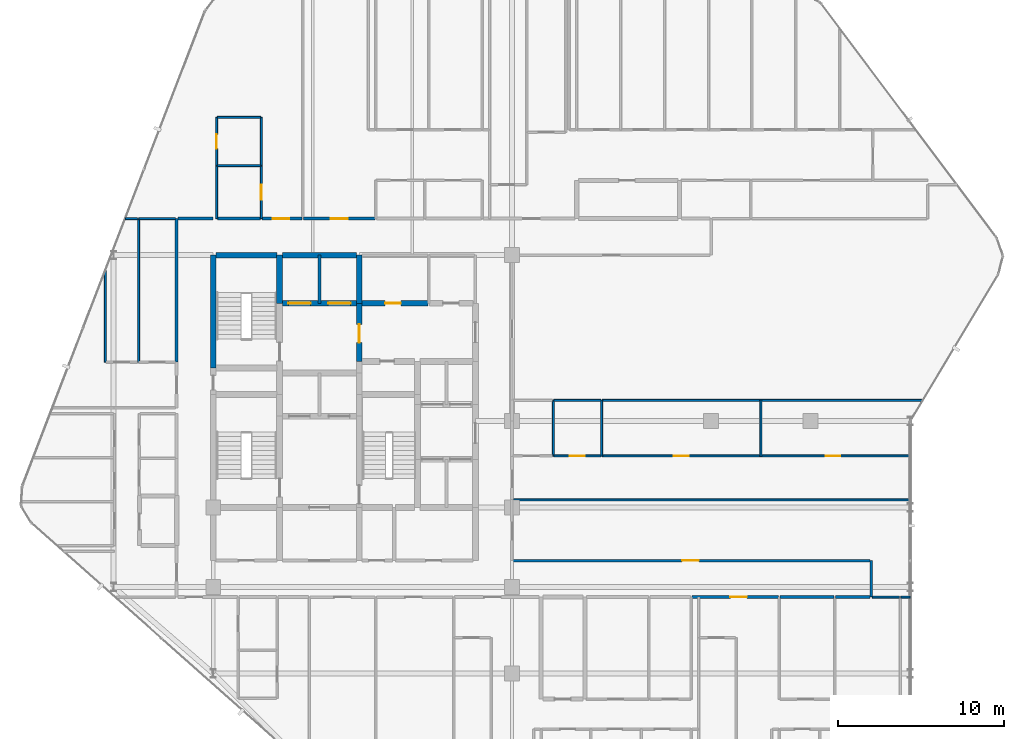
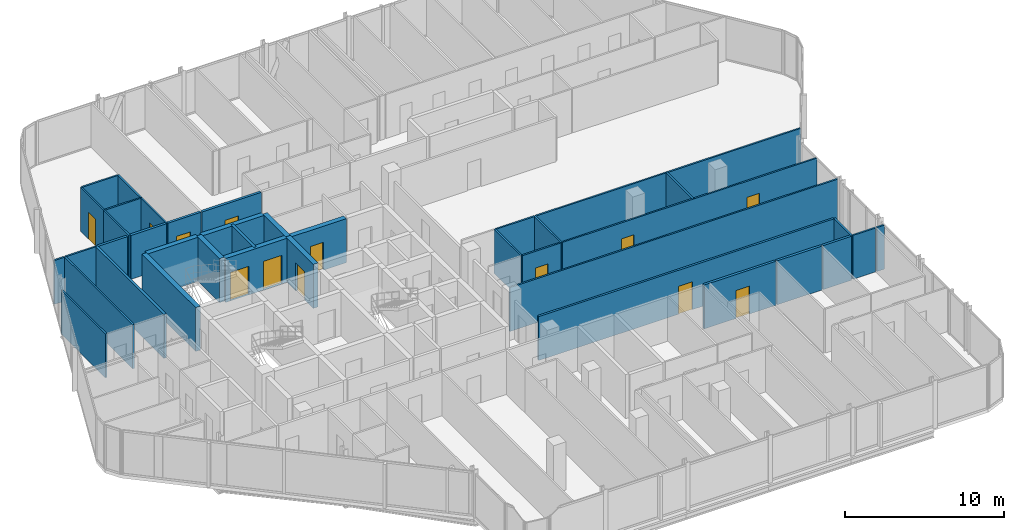
# One storey, part 28 of 31: 39 walls, 13 doors, 13 openings.
"""IFC4 building model written with IfcOpenShell, lengths in metres."""

from ifc_helpers import new_model, si_unit, direction, frame, frame_2d, origin, place, context, subcontext, project, spatial, rectangle, extrude, material, layer, layer_set, type_object, element, fill, save


model = new_model("IFC4")

# Units and contexts
model_context = context("Model", 3, precision=1e-05, world=origin(), true_north=direction((0.0, 1.0)))
body_context = subcontext(model_context, "Body", "Model", "MODEL_VIEW")
ifc_project = project(units=[si_unit("LENGTHUNIT", "METRE"), si_unit("AREAUNIT", "SQUARE_METRE"), si_unit("VOLUMEUNIT", "CUBIC_METRE"), si_unit("PLANEANGLEUNIT", "RADIAN"), si_unit("MASSUNIT", "GRAM", prefix="KILO")], contexts=[model_context])

# Site, building, storey
site_placement = place(None, origin())
site = spatial("IfcSite", under=ifc_project, at=site_placement, CompositionType="ELEMENT")
building_placement = place(site_placement, origin())
building = spatial("IfcBuilding", under=site, at=building_placement, Name="Keshet Zoharim Tower", CompositionType="ELEMENT")
storey_placement = place(building_placement, frame((0.0, 0.0, 140.89990234375)))
storey = spatial("IfcBuildingStorey", under=building, at=storey_placement, Name="L34", CompositionType="ELEMENT", Elevation=140.89990234375)

# Wall
ifc_material_1 = material(Name="Gypsum Plasterboard", Category="gypsum")
ifc_layer_1 = layer(ifc_material_1, 0.14990234375)
ifc_layer_set_1 = layer_set([ifc_layer_1], Name="Gypsum Plasterboard")
wall_type_1 = type_object("IfcWallType", Name="WL-CLIN-150", PredefinedType="STANDARD", material=ifc_layer_set_1)
wall_1_placement = place(storey_placement, frame((54.64990234375, 17.31005859375, 0.0), z_axis=(0.0, 0.0, 1.0), x_axis=(0.0, 1.0, 0.0)))
element("IfcWall", 1, at=wall_1_placement, inside=storey, type_object=wall_type_1, Name="L34 Interior Wall 110", PredefinedType="STANDARD", context=body_context, shape_type="SweptSolid", body=[
    extrude(rectangle(XDim=2.18994140625, YDim=0.14990234375, at=frame_2d((1.094970703125, 0.0))), origin(), (0.0, 0.0, 1.0), 3.385009765625),
])

# Wall, opening, door
wall_2_placement = place(storey_placement, frame((33.070068359375, 19.5, 0.0), z_axis=(0.0, 0.0, 1.0), x_axis=(1.0, 0.0, 0.0)))
wall_2 = element("IfcWall", 2, at=wall_2_placement, inside=storey, type_object=wall_type_1, Name="L34 Interior Wall 147", PredefinedType="STANDARD", context=body_context, shape_type="SweptSolid", body=[
    extrude(rectangle(XDim=21.510009765625, YDim=0.14990234375, at=frame_2d((10.7548828125, 0.0))), origin(), (0.0, 0.0, 1.0), 3.385009765625),
])
opening_1_placement = place(wall_2_placement, frame((10.18505859375, 0.0, 0.0)))
opening_1 = element("IfcOpeningElement", 3, at=opening_1_placement, cuts=wall_2, Name="Opening D-F310", PredefinedType="OPENING", context=body_context, shape_type="SweptSolid", body=[
    extrude(rectangle(XDim=1.0, YDim=2.14990234375, at=frame_2d((0.5, 1.074951171875))), frame((0.0, 0.0849609375, 0.0), z_axis=(0.0, -1.0, 0.0), x_axis=(1.0, 0.0, 0.0)), (0.0, 0.0, 1.0), 0.169921875),
])
ifc_material_2 = material(Name="Hardwood Timber", Category="wood")
door_type_1 = type_object("IfcDoorType", Name="DR-FD30-100", OperationType="NOTDEFINED", PredefinedType="DOOR", material=ifc_material_2)
door_1_placement = place(opening_1_placement, origin())
door_1 = element("IfcDoor", 4, at=door_1_placement, inside=storey, type_object=door_type_1, Name="L34 South East Residents Services Suite Door 1", OperationType="SINGLE_SWING_RIGHT", OverallHeight=2.14990234375, OverallWidth=1.0, PredefinedType="DOOR", context=body_context, shape_type="SweptSolid", body=[
    extrude(rectangle(XDim=1.0, YDim=2.14990234375, at=frame_2d((0.5, 1.074951171875))), frame((0.0, 0.02490234375, 0.0), z_axis=(0.0, -1.0, 0.0), x_axis=(1.0, 0.0, 0.0)), (0.0, 0.0, 1.0), 0.050048828125),
])
fill(opening_1, door_1)

# Walls
ifc_material_3 = material(Name="Concrete C60/75", Category="concrete")
ifc_layer_2 = layer(ifc_material_3, 0.35009765625)
ifc_layer_set_2 = layer_set([ifc_layer_2], Name="Concrete C60/75")
wall_type_2 = type_object("IfcWallType", Name="WL-CORE-350", PredefinedType="SHEAR", material=ifc_layer_set_2)
wall_3_placement = place(storey_placement, frame((15.0, 31.10009765625, 0.0), z_axis=(0.0, 0.0, 1.0), x_axis=(0.0, 1.0, 0.0)))
element("IfcWall", 5, at=wall_3_placement, inside=storey, type_object=wall_type_2, Name="L34 Core Shear Wall 016", PredefinedType="SHEAR", context=body_context, shape_type="SweptSolid", body=[
    extrude(rectangle(XDim=6.7998046875, YDim=0.35009765625, at=frame_2d((3.39990234375, 0.0))), origin(), (0.0, 0.0, 1.0), 3.385009765625),
])
wall_4_placement = place(storey_placement, frame((19.0, 35.0, 0.0), z_axis=(0.0, 0.0, 1.0), x_axis=(0.0, 1.0, 0.0)))
element("IfcWall", 6, at=wall_4_placement, inside=storey, type_object=wall_type_2, Name="L34 Core Shear Wall 029", PredefinedType="SHEAR", context=body_context, shape_type="SweptSolid", body=[
    extrude(rectangle(XDim=2.89990234375, YDim=0.35009765625, at=frame_2d((1.449951171875, 0.0))), origin(), (0.0, 0.0, 1.0), 3.385009765625),
])

# Wall, opening, door
wall_5_placement = place(storey_placement, frame((23.800048828125, 31.5, 0.0), z_axis=(0.0, 0.0, 1.0), x_axis=(0.0, 1.0, 0.0)))
wall_5 = element("IfcWall", 7, at=wall_5_placement, inside=storey, type_object=wall_type_2, Name="L34 Core Shear Wall 039", PredefinedType="SHEAR", context=body_context, shape_type="SweptSolid", body=[
    extrude(rectangle(XDim=3.5, YDim=0.35009765625, at=frame_2d((1.75, 0.0))), origin(), (0.0, 0.0, 1.0), 3.385009765625),
])
opening_2_placement = place(wall_5_placement, frame((1.126953125, 0.0, 0.0)))
opening_2 = element("IfcOpeningElement", 8, at=opening_2_placement, cuts=wall_5, Name="Opening D-F611", PredefinedType="OPENING", context=body_context, shape_type="SweptSolid", body=[
    extrude(rectangle(XDim=1.10009765625, YDim=2.14990234375, at=frame_2d((0.550048828125, 1.074951171875))), frame((0.0, 0.18505859375, 0.0), z_axis=(0.0, -1.0, 0.0), x_axis=(1.0, 0.0, 0.0)), (0.0, 0.0, 1.0), 0.3701171875),
])
door_type_2 = type_object("IfcDoorType", Name="DR-FD60-110", OperationType="NOTDEFINED", PredefinedType="DOOR", material=ifc_material_2)
door_2_placement = place(opening_2_placement, origin())
door_2 = element("IfcDoor", 9, at=door_2_placement, inside=storey, type_object=door_type_2, Name="L34 Firefighting Lobby Fire Door", OperationType="SINGLE_SWING_LEFT", OverallHeight=2.14990234375, OverallWidth=1.10009765625, PredefinedType="DOOR", context=body_context, shape_type="SweptSolid", body=[
    extrude(rectangle(XDim=1.10009765625, YDim=2.14990234375, at=frame_2d((0.550048828125, 1.074951171875))), frame((0.0, 0.02490234375, 0.0), z_axis=(0.0, -1.0, 0.0), x_axis=(1.0, 0.0, 0.0)), (0.0, 0.0, 1.0), 0.050048828125),
])
fill(opening_2, door_2)

# Wall
wall_6_placement = place(storey_placement, frame((23.800048828125, 35.0, 0.0), z_axis=(0.0, 0.0, 1.0), x_axis=(0.0, 1.0, 0.0)))
element("IfcWall", 10, at=wall_6_placement, inside=storey, type_object=wall_type_2, Name="L34 Core Shear Wall 040", PredefinedType="SHEAR", context=body_context, shape_type="SweptSolid", body=[
    extrude(rectangle(XDim=2.89990234375, YDim=0.35009765625, at=frame_2d((1.449951171875, 0.0))), origin(), (0.0, 0.0, 1.0), 3.385009765625),
])

# Wall, openings, doors
wall_7_placement = place(storey_placement, frame((19.159912109375, 35.0, 0.0), z_axis=(0.0, 0.0, 1.0), x_axis=(1.0, 0.0, 0.0)))
wall_7 = element("IfcWall", 11, at=wall_7_placement, inside=storey, type_object=wall_type_2, Name="L34 Core Shear Wall 182", PredefinedType="SHEAR", context=body_context, shape_type="SweptSolid", body=[
    extrude(rectangle(XDim=4.47998046875, YDim=0.35009765625, at=frame_2d((2.239990234375, 0.0))), origin(), (0.0, 0.0, 1.0), 3.385009765625),
])
opening_3_placement = place(wall_7_placement, frame((0.364990234375, 0.0, 0.0)))
opening_3 = element("IfcOpeningElement", 12, at=opening_3_placement, cuts=wall_7, Name="Opening LD-02", PredefinedType="OPENING", context=body_context, shape_type="SweptSolid", body=[
    extrude(rectangle(XDim=1.35009765625, YDim=2.199951171875, at=frame_2d((0.675048828125, 1.10009765625))), frame((0.0, 0.18505859375, 0.0), z_axis=(0.0, -1.0, 0.0), x_axis=(1.0, 0.0, 0.0)), (0.0, 0.0, 1.0), 0.3701171875),
])
opening_4_placement = place(wall_7_placement, frame((2.764892578125, 0.0, 0.0)))
opening_4 = element("IfcOpeningElement", 13, at=opening_4_placement, cuts=wall_7, Name="Opening LD-02", PredefinedType="OPENING", context=body_context, shape_type="SweptSolid", body=[
    extrude(rectangle(XDim=1.35009765625, YDim=2.199951171875, at=frame_2d((0.675048828125, 1.10009765625))), frame((0.0, 0.18505859375, 0.0), z_axis=(0.0, -1.0, 0.0), x_axis=(1.0, 0.0, 0.0)), (0.0, 0.0, 1.0), 0.3701171875),
])
ifc_material_4 = material(Name="Steel S355", Category="steel")
door_type_3 = type_object("IfcDoorType", Name="DR-LD02-135", OperationType="DOUBLE_DOOR_SLIDING", PredefinedType="DOOR", material=ifc_material_4)
door_3_placement = place(opening_3_placement, origin())
door_3 = element("IfcDoor", 14, at=door_3_placement, inside=storey, type_object=door_type_3, Name="L34 Firefighting Lift Landing Door FF-01", OperationType="DOUBLE_DOOR_SLIDING", OverallHeight=2.199951171875, OverallWidth=1.35009765625, PredefinedType="DOOR", context=body_context, shape_type="SweptSolid", body=[
    extrude(rectangle(XDim=1.35009765625, YDim=2.199951171875, at=frame_2d((0.675048828125, 1.10009765625))), frame((0.0, 0.02490234375, 0.0), z_axis=(0.0, -1.0, 0.0), x_axis=(1.0, 0.0, 0.0)), (0.0, 0.0, 1.0), 0.050048828125),
])
fill(opening_3, door_3)
door_4_placement = place(opening_4_placement, origin())
door_4 = element("IfcDoor", 15, at=door_4_placement, inside=storey, type_object=door_type_3, Name="L34 Firefighting Lift Landing Door FF-02", OperationType="DOUBLE_DOOR_SLIDING", OverallHeight=2.199951171875, OverallWidth=1.35009765625, PredefinedType="DOOR", context=body_context, shape_type="SweptSolid", body=[
    extrude(rectangle(XDim=1.35009765625, YDim=2.199951171875, at=frame_2d((0.675048828125, 1.10009765625))), frame((0.0, 0.02490234375, 0.0), z_axis=(0.0, -1.0, 0.0), x_axis=(1.0, 0.0, 0.0)), (0.0, 0.0, 1.0), 0.050048828125),
])
fill(opening_4, door_4)

# Wall, opening, door
wall_8_placement = place(storey_placement, frame((23.9599609375, 35.0, 0.0), z_axis=(0.0, 0.0, 1.0), x_axis=(1.0, 0.0, 0.0)))
wall_8 = element("IfcWall", 16, at=wall_8_placement, inside=storey, type_object=wall_type_2, Name="L34 Core Shear Wall 183", PredefinedType="SHEAR", context=body_context, shape_type="SweptSolid", body=[
    extrude(rectangle(XDim=3.9951171875, YDim=0.35009765625, at=frame_2d((1.99755859375, 0.0))), origin(), (0.0, 0.0, 1.0), 3.385009765625),
])
opening_5_placement = place(wall_8_placement, frame((1.39306640625, 0.0, 0.0)))
opening_5 = element("IfcOpeningElement", 17, at=opening_5_placement, cuts=wall_8, Name="Opening D-F695", PredefinedType="OPENING", context=body_context, shape_type="SweptSolid", body=[
    extrude(rectangle(XDim=0.949951171875, YDim=2.14990234375, at=frame_2d((0.47509765625, 1.074951171875))), frame((0.0, 0.18505859375, 0.0), z_axis=(0.0, -1.0, 0.0), x_axis=(1.0, 0.0, 0.0)), (0.0, 0.0, 1.0), 0.3701171875),
])
door_type_4 = type_object("IfcDoorType", Name="DR-FD60-095", OperationType="NOTDEFINED", PredefinedType="DOOR", material=ifc_material_2)
door_5_placement = place(opening_5_placement, frame((0.949951171875, 0.0, 0.0), z_axis=(0.0, 0.0, 1.0), x_axis=(-1.0, 0.0, 0.0)))
door_5 = element("IfcDoor", 18, at=door_5_placement, inside=storey, type_object=door_type_4, Name="L34 Laundry Room Door", OperationType="SINGLE_SWING_LEFT", OverallHeight=2.14990234375, OverallWidth=0.949951171875, PredefinedType="DOOR", context=body_context, shape_type="SweptSolid", body=[
    extrude(rectangle(XDim=0.949951171875, YDim=2.14990234375, at=frame_2d((0.47509765625, 1.074951171875))), frame((0.0, 0.02490234375, 0.0), z_axis=(0.0, -1.0, 0.0), x_axis=(1.0, 0.0, 0.0)), (0.0, 0.0, 1.0), 0.050048828125),
])
fill(opening_5, door_5)

# Walls
wall_9_placement = place(storey_placement, frame((15.159912109375, 37.89990234375, 0.0), z_axis=(0.0, 0.0, 1.0), x_axis=(1.0, 0.0, 0.0)))
element("IfcWall", 19, at=wall_9_placement, inside=storey, type_object=wall_type_2, Name="L34 Core Shear Wall 185", PredefinedType="SHEAR", context=body_context, shape_type="SweptSolid", body=[
    extrude(rectangle(XDim=3.68017578125, YDim=0.35009765625, at=frame_2d((1.840087890625, 0.0))), origin(), (0.0, 0.0, 1.0), 3.385009765625),
])
wall_10_placement = place(storey_placement, frame((19.159912109375, 37.89990234375, 0.0), z_axis=(0.0, 0.0, 1.0), x_axis=(1.0, 0.0, 0.0)))
element("IfcWall", 20, at=wall_10_placement, inside=storey, type_object=wall_type_2, Name="L34 Core Shear Wall 186", PredefinedType="SHEAR", context=body_context, shape_type="SweptSolid", body=[
    extrude(rectangle(XDim=4.47998046875, YDim=0.35009765625, at=frame_2d((2.239990234375, 0.0))), origin(), (0.0, 0.0, 1.0), 3.385009765625),
])
ifc_layer_3 = layer(ifc_material_1, 0.179931640625)
ifc_layer_set_3 = layer_set([ifc_layer_3], Name="Gypsum Plasterboard")
wall_type_3 = type_object("IfcWallType", Name="WL-CORR-180", PredefinedType="STANDARD", material=ifc_layer_set_3)
wall_11_placement = place(storey_placement, frame((12.800048828125, 31.449951171875, 0.0), z_axis=(0.0, 0.0, 1.0), x_axis=(0.0, 1.0, 0.0)))
element("IfcWall", 21, at=wall_11_placement, inside=storey, type_object=wall_type_3, Name="L34 Interior Wall 012", PredefinedType="STANDARD", context=body_context, shape_type="SweptSolid", body=[
    extrude(rectangle(XDim=8.650146484375, YDim=0.179931640625, at=frame_2d((4.3251953125, 0.0))), origin(), (0.0, 0.0, 1.0), 3.385009765625),
])

# Wall, opening, door
wall_12_placement = place(storey_placement, frame((43.85498046875, 17.300048828125, 0.0), z_axis=(0.0, 0.0, 1.0), x_axis=(1.0, 0.0, 0.0)))
wall_12 = element("IfcWall", 22, at=wall_12_placement, inside=storey, type_object=wall_type_3, Name="L34 Interior Wall 138", PredefinedType="STANDARD", context=body_context, shape_type="SweptSolid", body=[
    extrude(rectangle(XDim=5.2099609375, YDim=0.179931640625, at=frame_2d((2.60498046875, 0.0))), origin(), (0.0, 0.0, 1.0), 3.385009765625),
])
opening_6_placement = place(wall_12_placement, frame((2.304931640625, 0.0, 0.0)))
opening_6 = element("IfcOpeningElement", 23, at=opening_6_placement, cuts=wall_12, Name="Opening D-F310", PredefinedType="OPENING", context=body_context, shape_type="SweptSolid", body=[
    extrude(rectangle(XDim=1.0, YDim=2.14990234375, at=frame_2d((0.5, 1.074951171875))), frame((0.0, 0.10009765625, 0.0), z_axis=(0.0, -1.0, 0.0), x_axis=(1.0, 0.0, 0.0)), (0.0, 0.0, 1.0), 0.199951171875),
])
door_6_placement = place(opening_6_placement, origin())
door_6 = element("IfcDoor", 24, at=door_6_placement, inside=storey, type_object=door_type_1, Name="Apartment 3403 Entrance Door", OperationType="SINGLE_SWING_LEFT", OverallHeight=2.14990234375, OverallWidth=1.0, PredefinedType="DOOR", context=body_context, shape_type="SweptSolid", body=[
    extrude(rectangle(XDim=1.0, YDim=2.14990234375, at=frame_2d((0.5, 1.074951171875))), frame((0.0, 0.02490234375, 0.0), z_axis=(0.0, -1.0, 0.0), x_axis=(1.0, 0.0, 0.0)), (0.0, 0.0, 1.0), 0.050048828125),
])
fill(opening_6, door_6)

# Walls
wall_13_placement = place(storey_placement, frame((49.155029296875, 17.300048828125, 0.0), z_axis=(0.0, 0.0, 1.0), x_axis=(1.0, 0.0, 0.0)))
element("IfcWall", 25, at=wall_13_placement, inside=storey, type_object=wall_type_3, Name="L34 Interior Wall 139", PredefinedType="STANDARD", context=body_context, shape_type="SweptSolid", body=[
    extrude(rectangle(XDim=3.259033203125, YDim=0.179931640625, at=frame_2d((1.62939453125, 0.0))), origin(), (0.0, 0.0, 1.0), 3.385009765625),
])
wall_14_placement = place(storey_placement, frame((52.50390625, 17.300048828125, 0.0), z_axis=(0.0, 0.0, 1.0), x_axis=(1.0, 0.0, 0.0)))
element("IfcWall", 26, at=wall_14_placement, inside=storey, type_object=wall_type_3, Name="L34 Interior Wall 140", PredefinedType="STANDARD", context=body_context, shape_type="SweptSolid", body=[
    extrude(rectangle(XDim=2.076171875, YDim=0.179931640625, at=frame_2d((1.0380859375, 0.0))), origin(), (0.0, 0.0, 1.0), 3.385009765625),
])
wall_15_placement = place(storey_placement, frame((12.875, 40.10009765625, 0.0), z_axis=(0.0, 0.0, 1.0), x_axis=(1.0, 0.0, 0.0)))
element("IfcWall", 27, at=wall_15_placement, inside=storey, type_object=wall_type_3, Name="L34 Interior Wall 192", PredefinedType="STANDARD", context=body_context, shape_type="SweptSolid", body=[
    extrude(rectangle(XDim=2.125, YDim=0.179931640625, at=frame_2d((1.0625, 0.0))), origin(), (0.0, 0.0, 1.0), 3.385009765625),
])
wall_16_placement = place(storey_placement, frame((15.2451171875, 40.10009765625, 0.0), z_axis=(0.0, 0.0, 1.0), x_axis=(1.0, 0.0, 0.0)))
element("IfcWall", 28, at=wall_16_placement, inside=storey, type_object=wall_type_3, Name="L34 Interior Wall 193", PredefinedType="STANDARD", context=body_context, shape_type="SweptSolid", body=[
    extrude(rectangle(XDim=2.60986328125, YDim=0.179931640625, at=frame_2d((1.304931640625, 0.0))), origin(), (0.0, 0.0, 1.0), 3.385009765625),
])

# Wall, opening, door
wall_17_placement = place(storey_placement, frame((17.945068359375, 40.10009765625, 0.0), z_axis=(0.0, 0.0, 1.0), x_axis=(1.0, 0.0, 0.0)))
wall_17 = element("IfcWall", 29, at=wall_17_placement, inside=storey, type_object=wall_type_3, Name="L34 Interior Wall 194", PredefinedType="STANDARD", context=body_context, shape_type="SweptSolid", body=[
    extrude(rectangle(XDim=2.409912109375, YDim=0.179931640625, at=frame_2d((1.205078125, 0.0))), origin(), (0.0, 0.0, 1.0), 3.385009765625),
])
opening_7_placement = place(wall_17_placement, frame((0.634033203125, 0.0, 0.0)))
opening_7 = element("IfcOpeningElement", 30, at=opening_7_placement, cuts=wall_17, Name="Opening D-F310", PredefinedType="OPENING", context=body_context, shape_type="SweptSolid", body=[
    extrude(rectangle(XDim=1.0, YDim=2.14990234375, at=frame_2d((0.5, 1.074951171875))), frame((0.0, 0.10009765625, 0.0), z_axis=(0.0, -1.0, 0.0), x_axis=(1.0, 0.0, 0.0)), (0.0, 0.0, 1.0), 0.199951171875),
])
door_7_placement = place(opening_7_placement, origin())
door_7 = element("IfcDoor", 31, at=door_7_placement, inside=storey, type_object=door_type_1, Name="Apartment 3404 Entrance Door", OperationType="SINGLE_SWING_RIGHT", OverallHeight=2.14990234375, OverallWidth=1.0, PredefinedType="DOOR", context=body_context, shape_type="SweptSolid", body=[
    extrude(rectangle(XDim=1.0, YDim=2.14990234375, at=frame_2d((0.5, 1.074951171875))), frame((0.0, 0.02490234375, 0.0), z_axis=(0.0, -1.0, 0.0), x_axis=(1.0, 0.0, 0.0)), (0.0, 0.0, 1.0), 0.050048828125),
])
fill(opening_7, door_7)

wall_18_placement = place(storey_placement, frame((20.445068359375, 40.10009765625, 0.0), z_axis=(0.0, 0.0, 1.0), x_axis=(1.0, 0.0, 0.0)))
wall_18 = element("IfcWall", 32, at=wall_18_placement, inside=storey, type_object=wall_type_3, Name="L34 Interior Wall 195", PredefinedType="STANDARD", context=body_context, shape_type="SweptSolid", body=[
    extrude(rectangle(XDim=4.300048828125, YDim=0.179931640625, at=frame_2d((2.14990234375, 0.0))), origin(), (0.0, 0.0, 1.0), 3.385009765625),
])
opening_8_placement = place(wall_18_placement, frame((1.64990234375, 0.0, 0.0)))
opening_8 = element("IfcOpeningElement", 33, at=opening_8_placement, cuts=wall_18, Name="Opening D-F310", PredefinedType="OPENING", context=body_context, shape_type="SweptSolid", body=[
    extrude(rectangle(XDim=1.0, YDim=2.14990234375, at=frame_2d((0.5, 1.074951171875))), frame((0.0, 0.10009765625, 0.0), z_axis=(0.0, -1.0, 0.0), x_axis=(1.0, 0.0, 0.0)), (0.0, 0.0, 1.0), 0.199951171875),
])
door_8_placement = place(opening_8_placement, origin())
door_8 = element("IfcDoor", 34, at=door_8_placement, inside=storey, type_object=door_type_1, Name="Apartment 3405 Entrance Door", OperationType="SINGLE_SWING_LEFT", OverallHeight=2.14990234375, OverallWidth=1.0, PredefinedType="DOOR", context=body_context, shape_type="SweptSolid", body=[
    extrude(rectangle(XDim=1.0, YDim=2.14990234375, at=frame_2d((0.5, 1.074951171875))), frame((0.0, 0.02490234375, 0.0), z_axis=(0.0, -1.0, 0.0), x_axis=(1.0, 0.0, 0.0)), (0.0, 0.0, 1.0), 0.050048828125),
])
fill(opening_8, door_8)

# Walls
ifc_material_5 = material(Name="Concrete C50/60", Category="concrete")
ifc_layer_4 = layer(ifc_material_5, 0.199951171875)
ifc_layer_set_4 = layer_set([ifc_layer_4], Name="Concrete C50/60")
wall_type_4 = type_object("IfcWallType", Name="WL-FIRE-200", PredefinedType="STANDARD", material=ifc_layer_set_4)
wall_19_placement = place(storey_placement, frame((21.39990234375, 35.0, 0.0), z_axis=(0.0, 0.0, 1.0), x_axis=(0.0, 1.0, 0.0)))
element("IfcWall", 35, at=wall_19_placement, inside=storey, type_object=wall_type_4, Name="L34 Interior Wall 033", PredefinedType="STANDARD", context=body_context, shape_type="SweptSolid", body=[
    extrude(rectangle(XDim=2.89990234375, YDim=0.199951171875, at=frame_2d((1.449951171875, 0.0))), origin(), (0.0, 0.0, 1.0), 3.385009765625),
])
ifc_layer_5 = layer(ifc_material_1, 0.1201171875)
ifc_layer_set_5 = layer_set([ifc_layer_5], Name="Gypsum Plasterboard")
wall_type_5 = type_object("IfcWallType", Name="WL-PART-120", PredefinedType="PARTITIONING", material=ifc_layer_set_5)
wall_20_placement = place(storey_placement, frame((8.5, 31.449951171875, 0.0), z_axis=(0.0, 0.0, 1.0), x_axis=(0.0, 1.0, 0.0)))
element("IfcWall", 36, at=wall_20_placement, inside=storey, type_object=wall_type_5, Name="L34 Interior Wall 001", PredefinedType="PARTITIONING", context=body_context, shape_type="SweptSolid", body=[
    extrude(rectangle(XDim=5.5400390625, YDim=0.1201171875, at=frame_2d((2.77001953125, 0.0))), origin(), (0.0, 0.0, 1.0), 3.385009765625),
])
wall_21_placement = place(storey_placement, frame((15.199951171875, 40.10009765625, 0.0), z_axis=(0.0, 0.0, 1.0), x_axis=(0.0, 1.0, 0.0)))
element("IfcWall", 37, at=wall_21_placement, inside=storey, type_object=wall_type_5, Name="L34 Interior Wall 017", PredefinedType="PARTITIONING", context=body_context, shape_type="SweptSolid", body=[
    extrude(rectangle(XDim=3.199951171875, YDim=0.1201171875, at=frame_2d((1.60009765625, 0.0))), origin(), (0.0, 0.0, 1.0), 3.385009765625),
])

# Wall, opening, door
wall_22_placement = place(storey_placement, frame((17.89990234375, 40.10009765625, 0.0), z_axis=(0.0, 0.0, 1.0), x_axis=(0.0, 1.0, 0.0)))
wall_22 = element("IfcWall", 38, at=wall_22_placement, inside=storey, type_object=wall_type_5, Name="L34 Interior Wall 021", PredefinedType="PARTITIONING", context=body_context, shape_type="SweptSolid", body=[
    extrude(rectangle(XDim=3.199951171875, YDim=0.1201171875, at=frame_2d((1.60009765625, 0.0))), origin(), (0.0, 0.0, 1.0), 3.385009765625),
])
opening_9_placement = place(wall_22_placement, frame((1.14990234375, 0.0, 0.0)))
opening_9 = element("IfcOpeningElement", 39, at=opening_9_placement, cuts=wall_22, Name="Opening D-IN90", PredefinedType="OPENING", context=body_context, shape_type="SweptSolid", body=[
    extrude(rectangle(XDim=0.89990234375, YDim=2.14990234375, at=frame_2d((0.449951171875, 1.074951171875))), frame((0.0, 0.070068359375, 0.0), z_axis=(0.0, -1.0, 0.0), x_axis=(1.0, 0.0, 0.0)), (0.0, 0.0, 1.0), 0.14013671875),
])
door_type_5 = type_object("IfcDoorType", Name="DR-INT-090", OperationType="NOTDEFINED", PredefinedType="DOOR", material=ifc_material_2)
door_9_placement = place(opening_9_placement, origin())
door_9 = element("IfcDoor", 40, at=door_9_placement, inside=storey, type_object=door_type_5, Name="Apartment 3404 Kitchenette Door", OperationType="SINGLE_SWING_RIGHT", OverallHeight=2.14990234375, OverallWidth=0.89990234375, PredefinedType="DOOR", context=body_context, shape_type="SweptSolid", body=[
    extrude(rectangle(XDim=0.89990234375, YDim=2.14990234375, at=frame_2d((0.449951171875, 1.074951171875))), frame((0.0, 0.02490234375, 0.0), z_axis=(0.0, -1.0, 0.0), x_axis=(1.0, 0.0, 0.0)), (0.0, 0.0, 1.0), 0.050048828125),
])
fill(opening_9, door_9)

# Walls
wall_23_placement = place(storey_placement, frame((48.0, 25.780029296875, 0.0), z_axis=(0.0, 0.0, 1.0), x_axis=(0.0, 1.0, 0.0)))
element("IfcWall", 41, at=wall_23_placement, inside=storey, type_object=wall_type_5, Name="L34 Interior Wall 101", PredefinedType="PARTITIONING", context=body_context, shape_type="SweptSolid", body=[
    extrude(rectangle(XDim=3.3798828125, YDim=0.1201171875, at=frame_2d((1.68994140625, 0.0))), origin(), (0.0, 0.0, 1.0), 3.385009765625),
])
wall_24_placement = place(storey_placement, frame((56.43505859375, 17.300048828125, 0.0), z_axis=(0.0, 0.0, 1.0), x_axis=(1.0, 0.0, 0.0)))
element("IfcWall", 42, at=wall_24_placement, inside=storey, type_object=wall_type_5, Name="L34 Interior Wall 142", PredefinedType="PARTITIONING", context=body_context, shape_type="SweptSolid", body=[
    extrude(rectangle(XDim=0.554931640625, YDim=0.1201171875, at=frame_2d((0.27734375, 0.0))), origin(), (0.0, 0.0, 1.0), 3.385009765625),
])
wall_25_placement = place(storey_placement, frame((33.0849609375, 23.14990234375, 0.0), z_axis=(0.0, 0.0, 1.0), x_axis=(1.0, 0.0, 0.0)))
element("IfcWall", 43, at=wall_25_placement, inside=storey, type_object=wall_type_5, Name="L34 Interior Wall 157", PredefinedType="PARTITIONING", context=body_context, shape_type="SweptSolid", body=[
    extrude(rectangle(XDim=23.905029296875, YDim=0.1201171875, at=frame_2d((11.95263671875, 0.0))), origin(), (0.0, 0.0, 1.0), 3.385009765625),
])

# Wall, openings, doors
wall_26_placement = place(storey_placement, frame((38.445068359375, 25.800048828125, 0.0), z_axis=(0.0, 0.0, 1.0), x_axis=(1.0, 0.0, 0.0)))
wall_26 = element("IfcWall", 44, at=wall_26_placement, inside=storey, type_object=wall_type_5, Name="L34 Interior Wall 164", PredefinedType="PARTITIONING", context=body_context, shape_type="SweptSolid", body=[
    extrude(rectangle(XDim=18.544921875, YDim=0.1201171875, at=frame_2d((9.2724609375, 0.0))), origin(), (0.0, 0.0, 1.0), 3.385009765625),
])
opening_10_placement = place(wall_26_placement, frame((4.301025390625, 0.0, 0.0)))
opening_10 = element("IfcOpeningElement", 45, at=opening_10_placement, cuts=wall_26, Name="Opening D-IN90", PredefinedType="OPENING", context=body_context, shape_type="SweptSolid", body=[
    extrude(rectangle(XDim=0.89990234375, YDim=2.14990234375, at=frame_2d((0.449951171875, 1.074951171875))), frame((0.0, 0.070068359375, 0.0), z_axis=(0.0, -1.0, 0.0), x_axis=(1.0, 0.0, 0.0)), (0.0, 0.0, 1.0), 0.14013671875),
])
opening_11_placement = place(wall_26_placement, frame((13.447021484375, 0.0, 0.0)))
opening_11 = element("IfcOpeningElement", 46, at=opening_11_placement, cuts=wall_26, Name="Opening D-IN90", PredefinedType="OPENING", context=body_context, shape_type="SweptSolid", body=[
    extrude(rectangle(XDim=0.89990234375, YDim=2.14990234375, at=frame_2d((0.449951171875, 1.074951171875))), frame((0.0, 0.070068359375, 0.0), z_axis=(0.0, -1.0, 0.0), x_axis=(1.0, 0.0, 0.0)), (0.0, 0.0, 1.0), 0.14013671875),
])
door_10_placement = place(opening_10_placement, origin())
door_10 = element("IfcDoor", 47, at=door_10_placement, inside=storey, type_object=door_type_5, Name="Apartment 3409 Bedroom 1 Door", OperationType="SINGLE_SWING_RIGHT", OverallHeight=2.14990234375, OverallWidth=0.89990234375, PredefinedType="DOOR", context=body_context, shape_type="SweptSolid", body=[
    extrude(rectangle(XDim=0.89990234375, YDim=2.14990234375, at=frame_2d((0.449951171875, 1.074951171875))), frame((0.0, 0.02490234375, 0.0), z_axis=(0.0, -1.0, 0.0), x_axis=(1.0, 0.0, 0.0)), (0.0, 0.0, 1.0), 0.050048828125),
])
fill(opening_10, door_10)
door_11_placement = place(opening_11_placement, origin())
door_11 = element("IfcDoor", 48, at=door_11_placement, inside=storey, type_object=door_type_5, Name="Apartment 3409 Bedroom 2 Door", OperationType="SINGLE_SWING_LEFT", OverallHeight=2.14990234375, OverallWidth=0.89990234375, PredefinedType="DOOR", context=body_context, shape_type="SweptSolid", body=[
    extrude(rectangle(XDim=0.89990234375, YDim=2.14990234375, at=frame_2d((0.449951171875, 1.074951171875))), frame((0.0, 0.02490234375, 0.0), z_axis=(0.0, -1.0, 0.0), x_axis=(1.0, 0.0, 0.0)), (0.0, 0.0, 1.0), 0.050048828125),
])
fill(opening_11, door_11)

# Walls
wall_27_placement = place(storey_placement, frame((38.445068359375, 29.14990234375, 0.0), z_axis=(0.0, 0.0, 1.0), x_axis=(1.0, 0.0, 0.0)))
element("IfcWall", 49, at=wall_27_placement, inside=storey, type_object=wall_type_5, Name="L34 Interior Wall 173", PredefinedType="PARTITIONING", context=body_context, shape_type="SweptSolid", body=[
    extrude(rectangle(XDim=19.294921875, YDim=0.1201171875, at=frame_2d((9.6474609375, 0.0))), origin(), (0.0, 0.0, 1.0), 3.385009765625),
])
wall_28_placement = place(storey_placement, frame((9.701904296875, 40.10009765625, 0.0), z_axis=(0.0, 0.0, 1.0), x_axis=(1.0, 0.0, 0.0)))
element("IfcWall", 50, at=wall_28_placement, inside=storey, type_object=wall_type_5, Name="L34 Interior Wall 190", PredefinedType="PARTITIONING", context=body_context, shape_type="SweptSolid", body=[
    extrude(rectangle(XDim=0.731201171875, YDim=0.1201171875, at=frame_2d((0.36572265625, 0.0))), origin(), (0.0, 0.0, 1.0), 3.385009765625),
])
ifc_layer_6 = layer(ifc_material_1, 0.1201171875)
ifc_layer_set_6 = layer_set([ifc_layer_6], Name="Gypsum Plasterboard")
wall_type_6 = type_object("IfcWallType", Name="WL-WET-120", PredefinedType="PARTITIONING", material=ifc_layer_set_6)
wall_29_placement = place(storey_placement, frame((10.5, 31.449951171875, 0.0), z_axis=(0.0, 0.0, 1.0), x_axis=(0.0, 1.0, 0.0)))
element("IfcWall", 51, at=wall_29_placement, inside=storey, type_object=wall_type_6, Name="L34 Interior Wall 003", PredefinedType="PARTITIONING", context=body_context, shape_type="SweptSolid", body=[
    extrude(rectangle(XDim=8.650146484375, YDim=0.1201171875, at=frame_2d((4.3251953125, 0.0))), origin(), (0.0, 0.0, 1.0), 3.385009765625),
])

# Wall, opening, door
wall_30_placement = place(storey_placement, frame((15.199951171875, 43.300048828125, 0.0), z_axis=(0.0, 0.0, 1.0), x_axis=(0.0, 1.0, 0.0)))
wall_30 = element("IfcWall", 52, at=wall_30_placement, inside=storey, type_object=wall_type_6, Name="L34 Interior Wall 018", PredefinedType="PARTITIONING", context=body_context, shape_type="SweptSolid", body=[
    extrude(rectangle(XDim=2.89990234375, YDim=0.1201171875, at=frame_2d((1.449951171875, 0.0))), origin(), (0.0, 0.0, 1.0), 3.385009765625),
])
opening_12_placement = place(wall_30_placement, frame((1.0, 0.0, 0.0)))
opening_12 = element("IfcOpeningElement", 53, at=opening_12_placement, cuts=wall_30, Name="Opening D-WT90", PredefinedType="OPENING", context=body_context, shape_type="SweptSolid", body=[
    extrude(rectangle(XDim=0.89990234375, YDim=2.10009765625, at=frame_2d((0.449951171875, 1.050048828125))), frame((0.0, 0.070068359375, 0.0), z_axis=(0.0, -1.0, 0.0), x_axis=(1.0, 0.0, 0.0)), (0.0, 0.0, 1.0), 0.14013671875),
])
door_type_6 = type_object("IfcDoorType", Name="DR-WET-090", OperationType="NOTDEFINED", PredefinedType="DOOR", material=ifc_material_2)
door_12_placement = place(opening_12_placement, origin())
door_12 = element("IfcDoor", 54, at=door_12_placement, inside=storey, type_object=door_type_6, Name="Apartment 3404 Bathroom Door", OperationType="SINGLE_SWING_RIGHT", OverallHeight=2.10009765625, OverallWidth=0.89990234375, PredefinedType="DOOR", context=body_context, shape_type="SweptSolid", body=[
    extrude(rectangle(XDim=0.89990234375, YDim=2.10009765625, at=frame_2d((0.449951171875, 1.050048828125))), frame((0.0, 0.02490234375, 0.0), z_axis=(0.0, -1.0, 0.0), x_axis=(1.0, 0.0, 0.0)), (0.0, 0.0, 1.0), 0.050048828125),
])
fill(opening_12, door_12)

# Walls
wall_31_placement = place(storey_placement, frame((17.89990234375, 43.300048828125, 0.0), z_axis=(0.0, 0.0, 1.0), x_axis=(0.0, 1.0, 0.0)))
element("IfcWall", 55, at=wall_31_placement, inside=storey, type_object=wall_type_6, Name="L34 Interior Wall 022", PredefinedType="PARTITIONING", context=body_context, shape_type="SweptSolid", body=[
    extrude(rectangle(XDim=2.89990234375, YDim=0.1201171875, at=frame_2d((1.449951171875, 0.0))), origin(), (0.0, 0.0, 1.0), 3.385009765625),
])
for number, where, z_axis, x_axis, name in (
    (56, (35.5, 25.780029296875, 0.0), (0.0, 0.0, 1.0), (0.0, 1.0, 0.0), "L34 Interior Wall 078"),
    (57, (38.39990234375, 25.780029296875, 0.0), (0.0, 0.0, 1.0), (0.0, 1.0, 0.0), "L34 Interior Wall 085"),
):
    element("IfcWall", number, at=place(storey_placement, frame(where, z_axis=z_axis, x_axis=x_axis)), inside=storey, type_object=wall_type_6, Name=name, PredefinedType="PARTITIONING", context=body_context, shape_type="SweptSolid", body=[
        extrude(rectangle(XDim=3.3798828125, YDim=0.1201171875, at=frame_2d((1.68994140625, 0.0))), origin(), (0.0, 0.0, 1.0), 3.385009765625),
    ])
wall_32_placement = place(storey_placement, frame((54.7099609375, 17.300048828125, 0.0), z_axis=(0.0, 0.0, 1.0), x_axis=(1.0, 0.0, 0.0)))
element("IfcWall", 58, at=wall_32_placement, inside=storey, type_object=wall_type_6, Name="L34 Interior Wall 141", PredefinedType="PARTITIONING", context=body_context, shape_type="SweptSolid", body=[
    extrude(rectangle(XDim=1.635009765625, YDim=0.1201171875, at=frame_2d((0.8173828125, 0.0))), origin(), (0.0, 0.0, 1.0), 3.385009765625),
])

# Wall, opening, door
wall_33_placement = place(storey_placement, frame((35.529052734375, 25.800048828125, 0.0), z_axis=(0.0, 0.0, 1.0), x_axis=(1.0, 0.0, 0.0)))
wall_33 = element("IfcWall", 59, at=wall_33_placement, inside=storey, type_object=wall_type_6, Name="L34 Interior Wall 163", PredefinedType="PARTITIONING", context=body_context, shape_type="SweptSolid", body=[
    extrude(rectangle(XDim=2.825927734375, YDim=0.1201171875, at=frame_2d((1.4130859375, 0.0))), origin(), (0.0, 0.0, 1.0), 3.385009765625),
])
opening_13_placement = place(wall_33_placement, frame((0.962890625, 0.0, 0.0)))
opening_13 = element("IfcOpeningElement", 60, at=opening_13_placement, cuts=wall_33, Name="Opening D-WT90", PredefinedType="OPENING", context=body_context, shape_type="SweptSolid", body=[
    extrude(rectangle(XDim=0.89990234375, YDim=2.10009765625, at=frame_2d((0.449951171875, 1.050048828125))), frame((0.0, 0.070068359375, 0.0), z_axis=(0.0, -1.0, 0.0), x_axis=(1.0, 0.0, 0.0)), (0.0, 0.0, 1.0), 0.14013671875),
])
door_13_placement = place(opening_13_placement, origin())
door_13 = element("IfcDoor", 61, at=door_13_placement, inside=storey, type_object=door_type_6, Name="Apartment 3409 Bathroom Door", OperationType="SINGLE_SWING_LEFT", OverallHeight=2.10009765625, OverallWidth=0.89990234375, PredefinedType="DOOR", context=body_context, shape_type="SweptSolid", body=[
    extrude(rectangle(XDim=0.89990234375, YDim=2.10009765625, at=frame_2d((0.449951171875, 1.050048828125))), frame((0.0, 0.02490234375, 0.0), z_axis=(0.0, -1.0, 0.0), x_axis=(1.0, 0.0, 0.0)), (0.0, 0.0, 1.0), 0.050048828125),
])
fill(opening_13, door_13)

# Walls
wall_34_placement = place(storey_placement, frame((35.529052734375, 29.14990234375, 0.0), z_axis=(0.0, 0.0, 1.0), x_axis=(1.0, 0.0, 0.0)))
element("IfcWall", 62, at=wall_34_placement, inside=storey, type_object=wall_type_6, Name="L34 Interior Wall 172", PredefinedType="PARTITIONING", context=body_context, shape_type="SweptSolid", body=[
    extrude(rectangle(XDim=2.825927734375, YDim=0.1201171875, at=frame_2d((1.4130859375, 0.0))), origin(), (0.0, 0.0, 1.0), 3.385009765625),
])
wall_35_placement = place(storey_placement, frame((10.52294921875, 40.10009765625, 0.0), z_axis=(0.0, 0.0, 1.0), x_axis=(1.0, 0.0, 0.0)))
element("IfcWall", 63, at=wall_35_placement, inside=storey, type_object=wall_type_6, Name="L34 Interior Wall 191", PredefinedType="PARTITIONING", context=body_context, shape_type="SweptSolid", body=[
    extrude(rectangle(XDim=2.2021484375, YDim=0.1201171875, at=frame_2d((1.10107421875, 0.0))), origin(), (0.0, 0.0, 1.0), 3.385009765625),
])
for number, where, z_axis, x_axis, name in (
    (64, (15.2451171875, 43.300048828125, 0.0), (0.0, 0.0, 1.0), (1.0, 0.0, 0.0), "L34 Interior Wall 211"),
    (65, (15.2451171875, 46.199951171875, 0.0), (0.0, 0.0, 1.0), (1.0, 0.0, 0.0), "L34 Interior Wall 219"),
):
    element("IfcWall", number, at=place(storey_placement, frame(where, z_axis=z_axis, x_axis=x_axis)), inside=storey, type_object=wall_type_6, Name=name, PredefinedType="PARTITIONING", context=body_context, shape_type="SweptSolid", body=[
        extrude(rectangle(XDim=2.60986328125, YDim=0.1201171875, at=frame_2d((1.304931640625, 0.0))), origin(), (0.0, 0.0, 1.0), 3.385009765625),
    ])

save(model, "model.ifc")
